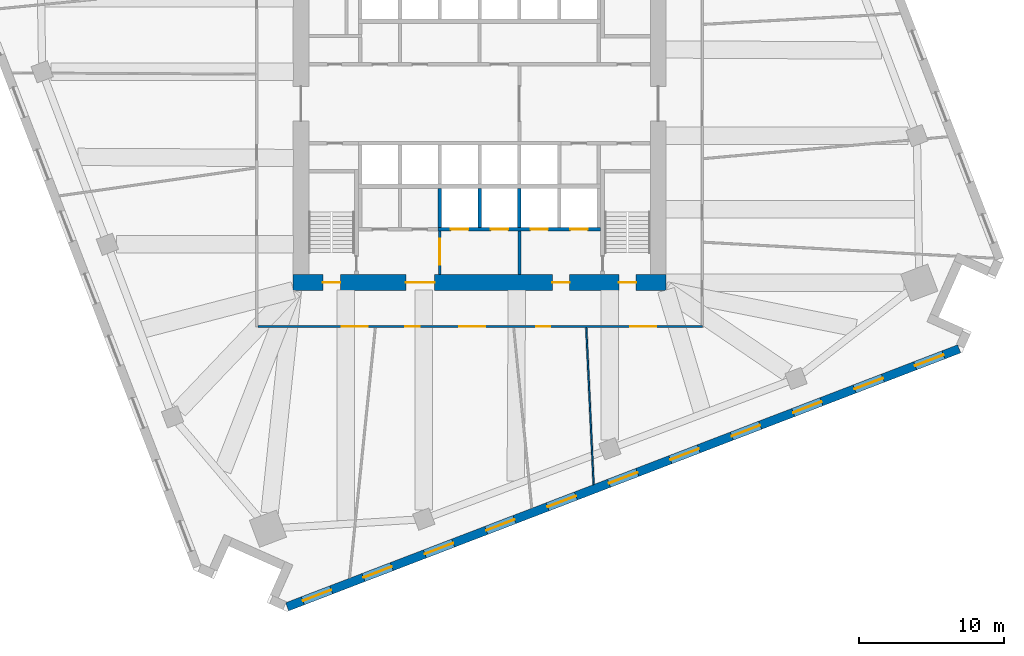
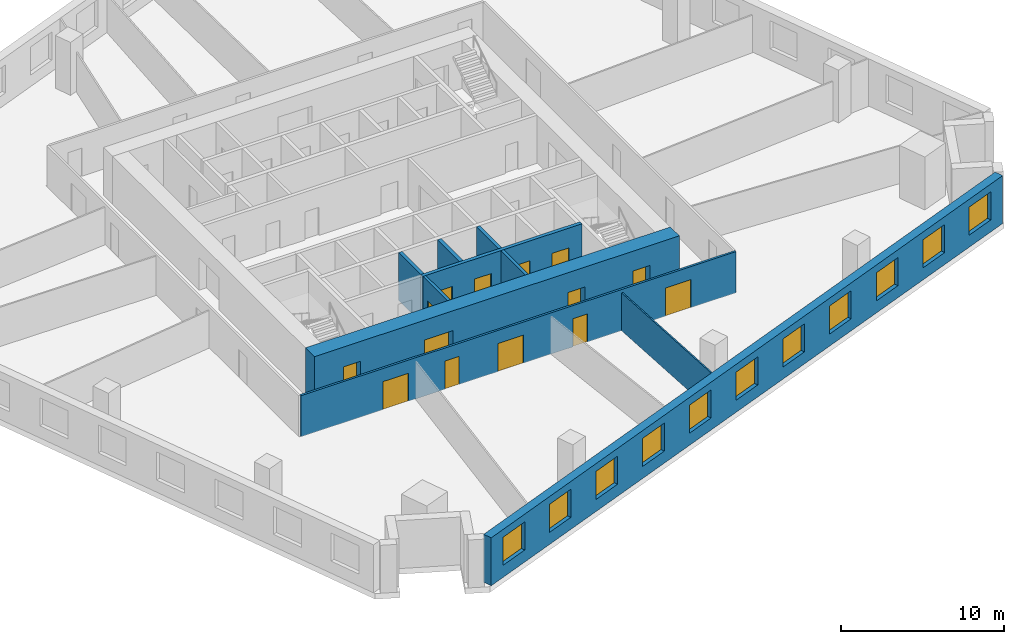
# One storey, part 8 of 14: 14 doors, 11 windows, 10 walls, 25 openings.
"""IFC4 building model written with IfcOpenShell, lengths in metres."""

from ifc_helpers import new_model, si_unit, direction, frame, frame_2d, origin, place, context, subcontext, project, spatial, rectangle, extrude, material, layer, layer_set, type_object, element, fill, save


model = new_model("IFC4")

# Units and contexts
model_context = context("Model", 3, precision=1e-05, world=origin(), true_north=direction((0.0, 1.0)))
body_context = subcontext(model_context, "Body", "Model", "MODEL_VIEW")
ifc_project = project(units=[si_unit("LENGTHUNIT", "METRE"), si_unit("AREAUNIT", "SQUARE_METRE"), si_unit("VOLUMEUNIT", "CUBIC_METRE"), si_unit("PLANEANGLEUNIT", "RADIAN"), si_unit("MASSUNIT", "GRAM", prefix="KILO")], contexts=[model_context])

# Site, building, storey
site_placement = place(None, origin())
site = spatial("IfcSite", under=ifc_project, at=site_placement, CompositionType="ELEMENT")
building_placement = place(site_placement, origin())
building = spatial("IfcBuilding", under=site, at=building_placement, Name="Dilmun Exchange Tower", CompositionType="ELEMENT")
storey_placement = place(building_placement, frame((0.0, 0.0, 110.10009765625)))
storey = spatial("IfcBuildingStorey", under=building, at=storey_placement, Name="L25", CompositionType="ELEMENT", Elevation=110.10009765625)

# Wall, opening, door
ifc_material_1 = material(Name="Concrete C40/50", Category="concrete")
ifc_layer_1 = layer(ifc_material_1, 0.199951171875)
ifc_layer_set_1 = layer_set([ifc_layer_1], Name="Concrete C40/50")
wall_type_1 = type_object("IfcWallType", Name="Core partition wall 200", PredefinedType="PARTITIONING", material=ifc_layer_set_1)
wall_1_placement = place(storey_placement, frame((-2.75, -11.794921875, 0.0), z_axis=(0.0, 0.0, 1.0), x_axis=(0.0, 1.0, 0.0)))
wall_1 = element("IfcWall", 1, at=wall_1_placement, inside=storey, type_object=wall_type_1, Name="L25 core partition wall 01", PredefinedType="PARTITIONING", context=body_context, shape_type="SweptSolid", body=[
    extrude(rectangle(XDim=2.989990234375, YDim=0.199951171875, at=frame_2d((1.4951171875, 0.0))), origin(), (0.0, 0.0, 1.0), 3.579833984375),
])
opening_1_placement = place(wall_1_placement, frame((0.657470703125, 0.0, 0.0)))
opening_1 = element("IfcOpeningElement", 2, at=opening_1_placement, cuts=wall_1, Name="Opening CD5", PredefinedType="OPENING", context=body_context, shape_type="SweptSolid", body=[
    extrude(rectangle(XDim=1.800048828125, YDim=2.10009765625, at=frame_2d((0.89990234375, 1.050048828125))), frame((0.0, 0.10986328125, 0.0), z_axis=(0.0, -1.0, 0.0), x_axis=(1.0, 0.0, 0.0)), (0.0, 0.0, 1.0), 0.219970703125),
])
ifc_material_2 = material(Name="Fire-rated steel door set", Category="steel")
door_type_1 = type_object("IfcDoorType", Name="Stair exit door 1800x2100", OperationType="SINGLE_SWING_LEFT", PredefinedType="DOOR", material=ifc_material_2)
door_1_placement = place(opening_1_placement, origin())
door_1 = element("IfcDoor", 3, at=door_1_placement, inside=storey, type_object=door_type_1, Name="L25 door Service lobby east", OperationType="SINGLE_SWING_LEFT", OverallHeight=2.10009765625, OverallWidth=1.800048828125, PredefinedType="DOOR", context=body_context, shape_type="SweptSolid", body=[
    extrude(rectangle(XDim=1.800048828125, YDim=2.10009765625, at=frame_2d((0.89990234375, 1.050048828125))), frame((0.0, 0.02490234375, 0.0), z_axis=(0.0, -1.0, 0.0), x_axis=(1.0, 0.0, 0.0)), (0.0, 0.0, 1.0), 0.050048828125),
])
fill(opening_1, door_1)

# Wall
wall_2_placement = place(storey_placement, frame((2.75, -11.794921875, 0.0), z_axis=(0.0, 0.0, 1.0), x_axis=(0.0, 1.0, 0.0)))
element("IfcWall", 4, at=wall_2_placement, inside=storey, type_object=wall_type_1, Name="L25 core partition wall 02", PredefinedType="PARTITIONING", context=body_context, shape_type="SweptSolid", body=[
    extrude(rectangle(XDim=2.989990234375, YDim=0.199951171875, at=frame_2d((1.4951171875, 0.0))), origin(), (0.0, 0.0, 1.0), 3.579833984375),
])

# Wall, openings, doors
ifc_material_3 = material(Name="Concrete C80/95", Category="concrete")
ifc_layer_2 = layer(ifc_material_3, 1.10009765625)
ifc_layer_set_2 = layer_set([ifc_layer_2], Name="Concrete C80/95")
wall_type_2 = type_object("IfcWallType", Name="Core shear wall 1100 Concrete C80/95", PredefinedType="SHEAR", material=ifc_layer_set_2)
wall_3_placement = place(storey_placement, frame((-12.89990234375, -12.35009765625, 0.0), z_axis=(0.0, 0.0, 1.0), x_axis=(1.0, 0.0, 0.0)))
wall_3 = element("IfcWall", 5, at=wall_3_placement, inside=storey, type_object=wall_type_2, Name="L25 core shear wall S", PredefinedType="SHEAR", context=body_context, shape_type="SweptSolid", body=[
    extrude(rectangle(XDim=25.7998046875, YDim=1.10009765625, at=frame_2d((12.89990234375, 0.0))), origin(), (0.0, 0.0, 1.0), 3.579833984375),
])
opening_2_placement = place(wall_3_placement, frame((7.800048828125, 0.0, 0.0)))
opening_2 = element("IfcOpeningElement", 6, at=opening_2_placement, cuts=wall_3, Name="Opening CD2", PredefinedType="OPENING", context=body_context, shape_type="SweptSolid", body=[
    extrude(rectangle(XDim=2.0, YDim=2.10009765625, at=frame_2d((1.0, 1.050048828125))), frame((0.0, 0.56005859375, 0.0), z_axis=(0.0, -1.0, 0.0), x_axis=(1.0, 0.0, 0.0)), (0.0, 0.0, 1.0), 1.1201171875),
])
opening_3_placement = place(wall_3_placement, frame((17.925048828125, 0.0, 0.0)))
opening_3 = element("IfcOpeningElement", 7, at=opening_3_placement, cuts=wall_3, Name="Opening CD3", PredefinedType="OPENING", context=body_context, shape_type="SweptSolid", body=[
    extrude(rectangle(XDim=1.199951171875, YDim=2.10009765625, at=frame_2d((0.60009765625, 1.050048828125))), frame((0.0, 0.56005859375, 0.0), z_axis=(0.0, -1.0, 0.0), x_axis=(1.0, 0.0, 0.0)), (0.0, 0.0, 1.0), 1.1201171875),
])
opening_4_placement = place(wall_3_placement, frame((2.074951171875, 0.0, 0.0)))
opening_4 = element("IfcOpeningElement", 8, at=opening_4_placement, cuts=wall_3, Name="Opening CD3", PredefinedType="OPENING", context=body_context, shape_type="SweptSolid", body=[
    extrude(rectangle(XDim=1.199951171875, YDim=2.10009765625, at=frame_2d((0.60009765625, 1.050048828125))), frame((0.0, 0.56005859375, 0.0), z_axis=(0.0, -1.0, 0.0), x_axis=(1.0, 0.0, 0.0)), (0.0, 0.0, 1.0), 1.1201171875),
])
opening_5_placement = place(wall_3_placement, frame((22.52490234375, 0.0, 0.0)))
opening_5 = element("IfcOpeningElement", 9, at=opening_5_placement, cuts=wall_3, Name="Opening CD3", PredefinedType="OPENING", context=body_context, shape_type="SweptSolid", body=[
    extrude(rectangle(XDim=1.199951171875, YDim=2.10009765625, at=frame_2d((0.60009765625, 1.050048828125))), frame((0.0, 0.56005859375, 0.0), z_axis=(0.0, -1.0, 0.0), x_axis=(1.0, 0.0, 0.0)), (0.0, 0.0, 1.0), 1.1201171875),
])
door_type_2 = type_object("IfcDoorType", Name="Core service door 2000x2100", OperationType="DOUBLE_DOOR_DOUBLE_SWING", PredefinedType="DOOR", material=ifc_material_2)
door_2_placement = place(opening_2_placement, origin())
door_2 = element("IfcDoor", 10, at=door_2_placement, inside=storey, type_object=door_type_2, Name="L25 door South service lobby", OperationType="SINGLE_SWING_LEFT", OverallHeight=2.10009765625, OverallWidth=2.0, PredefinedType="DOOR", context=body_context, shape_type="SweptSolid", body=[
    extrude(rectangle(XDim=2.0, YDim=2.10009765625, at=frame_2d((1.0, 1.050048828125))), frame((0.0, 0.02490234375, 0.0), z_axis=(0.0, -1.0, 0.0), x_axis=(1.0, 0.0, 0.0)), (0.0, 0.0, 1.0), 0.050048828125),
])
fill(opening_2, door_2)
door_type_3 = type_object("IfcDoorType", Name="Stair exit door 1200x2100", OperationType="SINGLE_SWING_LEFT", PredefinedType="DOOR", material=ifc_material_2)
door_3_placement = place(opening_3_placement, origin())
door_3 = element("IfcDoor", 11, at=door_3_placement, inside=storey, type_object=door_type_3, Name="L25 door Fire-fighting lobby", OperationType="SINGLE_SWING_LEFT", OverallHeight=2.10009765625, OverallWidth=1.199951171875, PredefinedType="DOOR", context=body_context, shape_type="SweptSolid", body=[
    extrude(rectangle(XDim=1.199951171875, YDim=2.10009765625, at=frame_2d((0.60009765625, 1.050048828125))), frame((0.0, 0.02490234375, 0.0), z_axis=(0.0, -1.0, 0.0), x_axis=(1.0, 0.0, 0.0)), (0.0, 0.0, 1.0), 0.050048828125),
])
fill(opening_3, door_3)
door_4_placement = place(opening_4_placement, origin())
door_4 = element("IfcDoor", 12, at=door_4_placement, inside=storey, type_object=door_type_3, Name="L25 door Stair ST2", OperationType="SINGLE_SWING_LEFT", OverallHeight=2.10009765625, OverallWidth=1.199951171875, PredefinedType="DOOR", context=body_context, shape_type="SweptSolid", body=[
    extrude(rectangle(XDim=1.199951171875, YDim=2.10009765625, at=frame_2d((0.60009765625, 1.050048828125))), frame((0.0, 0.02490234375, 0.0), z_axis=(0.0, -1.0, 0.0), x_axis=(1.0, 0.0, 0.0)), (0.0, 0.0, 1.0), 0.050048828125),
])
fill(opening_4, door_4)
door_5_placement = place(opening_5_placement, origin())
door_5 = element("IfcDoor", 13, at=door_5_placement, inside=storey, type_object=door_type_3, Name="L25 door Stair ST3", OperationType="SINGLE_SWING_LEFT", OverallHeight=2.10009765625, OverallWidth=1.199951171875, PredefinedType="DOOR", context=body_context, shape_type="SweptSolid", body=[
    extrude(rectangle(XDim=1.199951171875, YDim=2.10009765625, at=frame_2d((0.60009765625, 1.050048828125))), frame((0.0, 0.02490234375, 0.0), z_axis=(0.0, -1.0, 0.0), x_axis=(1.0, 0.0, 0.0)), (0.0, 0.0, 1.0), 0.050048828125),
])
fill(opening_5, door_5)

ifc_material_4 = material(Name="Corridor wall 150")
ifc_layer_3 = layer(ifc_material_4, 0.14990234375)
ifc_layer_set_3 = layer_set([ifc_layer_3], Name="Corridor wall 150")
wall_type_3 = type_object("IfcWallType", Name="Corridor wall 150", PredefinedType="PARTITIONING", material=ifc_layer_set_3)
wall_4_placement = place(storey_placement, frame((-15.324951171875, -15.39990234375, 0.0), z_axis=(0.0, 0.0, 1.0), x_axis=(1.0, 0.0, 0.0)))
wall_4 = element("IfcWall", 14, at=wall_4_placement, inside=storey, type_object=wall_type_3, Name="Corridor wall", PredefinedType="PARTITIONING", context=body_context, shape_type="SweptSolid", body=[
    extrude(rectangle(XDim=30.724853515625, YDim=0.14990234375, at=frame_2d((15.3623046875, 0.0))), origin(), (0.0, 0.0, 1.0), 3.079833984375),
])
opening_6_placement = place(wall_4_placement, frame((5.800048828125, 0.0, 0.0)))
opening_6 = element("IfcOpeningElement", 15, at=opening_6_placement, cuts=wall_4, Name="Opening TF23-D05", PredefinedType="OPENING", context=body_context, shape_type="SweptSolid", body=[
    extrude(rectangle(XDim=1.800048828125, YDim=2.10009765625, at=frame_2d((0.89990234375, 1.050048828125))), frame((0.0, 0.0849609375, 0.0), z_axis=(0.0, -1.0, 0.0), x_axis=(1.0, 0.0, 0.0)), (0.0, 0.0, 1.0), 0.169921875),
])
opening_7_placement = place(wall_4_placement, frame((13.92333984375, 0.0, 0.0)))
opening_7 = element("IfcOpeningElement", 16, at=opening_7_placement, cuts=wall_4, Name="Opening TF23-D08", PredefinedType="OPENING", context=body_context, shape_type="SweptSolid", body=[
    extrude(rectangle(XDim=1.800048828125, YDim=2.10009765625, at=frame_2d((0.89990234375, 1.050048828125))), frame((0.0, 0.0849609375, 0.0), z_axis=(0.0, -1.0, 0.0), x_axis=(1.0, 0.0, 0.0)), (0.0, 0.0, 1.0), 0.169921875),
])
opening_8_placement = place(wall_4_placement, frame((10.17333984375, 0.0, 0.0)))
opening_8 = element("IfcOpeningElement", 17, at=opening_8_placement, cuts=wall_4, Name="Opening TF23-D09", PredefinedType="OPENING", context=body_context, shape_type="SweptSolid", body=[
    extrude(rectangle(XDim=1.0, YDim=2.10009765625, at=frame_2d((0.5, 1.050048828125))), frame((0.0, 0.0849609375, 0.0), z_axis=(0.0, -1.0, 0.0), x_axis=(1.0, 0.0, 0.0)), (0.0, 0.0, 1.0), 0.169921875),
])
opening_9_placement = place(wall_4_placement, frame((19.227294921875, 0.0, 0.0)))
opening_9 = element("IfcOpeningElement", 18, at=opening_9_placement, cuts=wall_4, Name="Opening TF23-D12", PredefinedType="OPENING", context=body_context, shape_type="SweptSolid", body=[
    extrude(rectangle(XDim=1.0, YDim=2.10009765625, at=frame_2d((0.5, 1.050048828125))), frame((0.0, 0.0849609375, 0.0), z_axis=(0.0, -1.0, 0.0), x_axis=(1.0, 0.0, 0.0)), (0.0, 0.0, 1.0), 0.169921875),
])
opening_10_placement = place(wall_4_placement, frame((25.74560546875, 0.0, 0.0)))
opening_10 = element("IfcOpeningElement", 19, at=opening_10_placement, cuts=wall_4, Name="Opening TF23-D15", PredefinedType="OPENING", context=body_context, shape_type="SweptSolid", body=[
    extrude(rectangle(XDim=1.800048828125, YDim=2.10009765625, at=frame_2d((0.89990234375, 1.050048828125))), frame((0.0, 0.0849609375, 0.0), z_axis=(0.0, -1.0, 0.0), x_axis=(1.0, 0.0, 0.0)), (0.0, 0.0, 1.0), 0.169921875),
])
ifc_material_5 = material(Name="Fire door 1000 x 2100")
door_type_4 = type_object("IfcDoorType", Name="Fire door 1000 x 2100", OperationType="NOTDEFINED", PredefinedType="DOOR", material=ifc_material_5)
door_6_placement = place(opening_8_placement, frame((1.0, 0.0, 0.0), z_axis=(0.0, 0.0, 1.0), x_axis=(-1.0, 0.0, 0.0)))
door_6 = element("IfcDoor", 20, at=door_6_placement, inside=storey, type_object=door_type_4, Name="Door TF23-D09", OperationType="SINGLE_SWING_RIGHT", OverallHeight=2.10009765625, OverallWidth=1.0, PredefinedType="DOOR", context=body_context, shape_type="SweptSolid", body=[
    extrude(rectangle(XDim=1.0, YDim=2.10009765625, at=frame_2d((0.5, 1.050048828125))), frame((0.0, 0.02490234375, 0.0), z_axis=(0.0, -1.0, 0.0), x_axis=(1.0, 0.0, 0.0)), (0.0, 0.0, 1.0), 0.050048828125),
])
fill(opening_8, door_6)
door_7_placement = place(opening_9_placement, frame((1.0, 0.0, 0.0), z_axis=(0.0, 0.0, 1.0), x_axis=(-1.0, 0.0, 0.0)))
door_7 = element("IfcDoor", 21, at=door_7_placement, inside=storey, type_object=door_type_4, Name="Door TF23-D12", OperationType="SINGLE_SWING_LEFT", OverallHeight=2.10009765625, OverallWidth=1.0, PredefinedType="DOOR", context=body_context, shape_type="SweptSolid", body=[
    extrude(rectangle(XDim=1.0, YDim=2.10009765625, at=frame_2d((0.5, 1.050048828125))), frame((0.0, 0.02490234375, 0.0), z_axis=(0.0, -1.0, 0.0), x_axis=(1.0, 0.0, 0.0)), (0.0, 0.0, 1.0), 0.050048828125),
])
fill(opening_9, door_7)
ifc_material_6 = material(Name="Fire door pair 1800 x 2100")
door_type_5 = type_object("IfcDoorType", Name="Fire door pair 1800 x 2100", OperationType="NOTDEFINED", PredefinedType="DOOR", material=ifc_material_6)
door_8_placement = place(opening_6_placement, frame((1.800048828125, 0.0, 0.0), z_axis=(0.0, 0.0, 1.0), x_axis=(-1.0, 0.0, 0.0)))
door_8 = element("IfcDoor", 22, at=door_8_placement, inside=storey, type_object=door_type_5, Name="Door TF23-D05", OperationType="DOUBLE_DOOR_SINGLE_SWING", OverallHeight=2.10009765625, OverallWidth=1.800048828125, PredefinedType="DOOR", context=body_context, shape_type="SweptSolid", body=[
    extrude(rectangle(XDim=1.800048828125, YDim=2.10009765625, at=frame_2d((0.89990234375, 1.050048828125))), frame((0.0, 0.02490234375, 0.0), z_axis=(0.0, -1.0, 0.0), x_axis=(1.0, 0.0, 0.0)), (0.0, 0.0, 1.0), 0.050048828125),
])
fill(opening_6, door_8)
door_9_placement = place(opening_7_placement, frame((1.800048828125, 0.0, 0.0), z_axis=(0.0, 0.0, 1.0), x_axis=(-1.0, 0.0, 0.0)))
door_9 = element("IfcDoor", 23, at=door_9_placement, inside=storey, type_object=door_type_5, Name="Door TF23-D08", OperationType="DOUBLE_DOOR_SINGLE_SWING", OverallHeight=2.10009765625, OverallWidth=1.800048828125, PredefinedType="DOOR", context=body_context, shape_type="SweptSolid", body=[
    extrude(rectangle(XDim=1.800048828125, YDim=2.10009765625, at=frame_2d((0.89990234375, 1.050048828125))), frame((0.0, 0.02490234375, 0.0), z_axis=(0.0, -1.0, 0.0), x_axis=(1.0, 0.0, 0.0)), (0.0, 0.0, 1.0), 0.050048828125),
])
fill(opening_7, door_9)
door_10_placement = place(opening_10_placement, frame((1.800048828125, 0.0, 0.0), z_axis=(0.0, 0.0, 1.0), x_axis=(-1.0, 0.0, 0.0)))
door_10 = element("IfcDoor", 24, at=door_10_placement, inside=storey, type_object=door_type_5, Name="Door TF23-D15", OperationType="DOUBLE_DOOR_SINGLE_SWING", OverallHeight=2.10009765625, OverallWidth=1.800048828125, PredefinedType="DOOR", context=body_context, shape_type="SweptSolid", body=[
    extrude(rectangle(XDim=1.800048828125, YDim=2.10009765625, at=frame_2d((0.89990234375, 1.050048828125))), frame((0.0, 0.02490234375, 0.0), z_axis=(0.0, -1.0, 0.0), x_axis=(1.0, 0.0, 0.0)), (0.0, 0.0, 1.0), 0.050048828125),
])
fill(opening_10, door_10)

ifc_layer_4 = layer(ifc_material_1, 0.25)
ifc_layer_set_4 = layer_set([ifc_layer_4], Name="Concrete C40/50")
wall_type_4 = type_object("IfcWallType", Name="Lift shaft wall 250", PredefinedType="SOLIDWALL", material=ifc_layer_set_4)
wall_5_placement = place(storey_placement, frame((-2.875, -8.675048828125, 0.0), z_axis=(0.0, 0.0, 1.0), x_axis=(1.0, 0.0, 0.0)))
wall_5 = element("IfcWall", 25, at=wall_5_placement, inside=storey, type_object=wall_type_4, Name="L25 lift shaft front wall S2", PredefinedType="SOLIDWALL", context=body_context, shape_type="SweptSolid", body=[
    extrude(rectangle(XDim=11.25, YDim=0.25, at=frame_2d((5.625, 0.0))), origin(), (0.0, 0.0, 1.0), 3.579833984375),
])
opening_11_placement = place(wall_5_placement, frame((0.89990234375, 0.0, 0.0)))
opening_11 = element("IfcOpeningElement", 26, at=opening_11_placement, cuts=wall_5, Name="Opening LD", PredefinedType="OPENING", context=body_context, shape_type="SweptSolid", body=[
    extrude(rectangle(XDim=1.199951171875, YDim=2.10009765625, at=frame_2d((0.60009765625, 1.050048828125))), frame((0.0, 0.135009765625, 0.0), z_axis=(0.0, -1.0, 0.0), x_axis=(1.0, 0.0, 0.0)), (0.0, 0.0, 1.0), 0.27001953125),
])
opening_12_placement = place(wall_5_placement, frame((3.64990234375, 0.0, 0.0)))
opening_12 = element("IfcOpeningElement", 27, at=opening_12_placement, cuts=wall_5, Name="Opening LD", PredefinedType="OPENING", context=body_context, shape_type="SweptSolid", body=[
    extrude(rectangle(XDim=1.199951171875, YDim=2.10009765625, at=frame_2d((0.60009765625, 1.050048828125))), frame((0.0, 0.135009765625, 0.0), z_axis=(0.0, -1.0, 0.0), x_axis=(1.0, 0.0, 0.0)), (0.0, 0.0, 1.0), 0.27001953125),
])
opening_13_placement = place(wall_5_placement, frame((6.39990234375, 0.0, 0.0)))
opening_13 = element("IfcOpeningElement", 28, at=opening_13_placement, cuts=wall_5, Name="Opening LD", PredefinedType="OPENING", context=body_context, shape_type="SweptSolid", body=[
    extrude(rectangle(XDim=1.199951171875, YDim=2.10009765625, at=frame_2d((0.60009765625, 1.050048828125))), frame((0.0, 0.135009765625, 0.0), z_axis=(0.0, -1.0, 0.0), x_axis=(1.0, 0.0, 0.0)), (0.0, 0.0, 1.0), 0.27001953125),
])
opening_14_placement = place(wall_5_placement, frame((9.14990234375, 0.0, 0.0)))
opening_14 = element("IfcOpeningElement", 29, at=opening_14_placement, cuts=wall_5, Name="Opening LD", PredefinedType="OPENING", context=body_context, shape_type="SweptSolid", body=[
    extrude(rectangle(XDim=1.199951171875, YDim=2.10009765625, at=frame_2d((0.60009765625, 1.050048828125))), frame((0.0, 0.135009765625, 0.0), z_axis=(0.0, -1.0, 0.0), x_axis=(1.0, 0.0, 0.0)), (0.0, 0.0, 1.0), 0.27001953125),
])
door_type_6 = type_object("IfcDoorType", Name="Lift landing door 1200x2100", OperationType="DOUBLE_DOOR_SLIDING", PredefinedType="DOOR", material=ifc_material_2)
door_11_placement = place(opening_11_placement, origin())
door_11 = element("IfcDoor", 30, at=door_11_placement, inside=storey, type_object=door_type_6, Name="L25 landing door SV1", OperationType="DOUBLE_DOOR_SLIDING", OverallHeight=2.10009765625, OverallWidth=1.199951171875, PredefinedType="DOOR", context=body_context, shape_type="SweptSolid", body=[
    extrude(rectangle(XDim=1.199951171875, YDim=2.10009765625, at=frame_2d((0.60009765625, 1.050048828125))), frame((0.0, 0.02490234375, 0.0), z_axis=(0.0, -1.0, 0.0), x_axis=(1.0, 0.0, 0.0)), (0.0, 0.0, 1.0), 0.050048828125),
])
fill(opening_11, door_11)
door_12_placement = place(opening_12_placement, origin())
door_12 = element("IfcDoor", 31, at=door_12_placement, inside=storey, type_object=door_type_6, Name="L25 landing door SV2", OperationType="DOUBLE_DOOR_SLIDING", OverallHeight=2.10009765625, OverallWidth=1.199951171875, PredefinedType="DOOR", context=body_context, shape_type="SweptSolid", body=[
    extrude(rectangle(XDim=1.199951171875, YDim=2.10009765625, at=frame_2d((0.60009765625, 1.050048828125))), frame((0.0, 0.02490234375, 0.0), z_axis=(0.0, -1.0, 0.0), x_axis=(1.0, 0.0, 0.0)), (0.0, 0.0, 1.0), 0.050048828125),
])
fill(opening_12, door_12)
door_13_placement = place(opening_13_placement, origin())
door_13 = element("IfcDoor", 32, at=door_13_placement, inside=storey, type_object=door_type_6, Name="L25 landing door FF1", OperationType="DOUBLE_DOOR_SLIDING", OverallHeight=2.10009765625, OverallWidth=1.199951171875, PredefinedType="DOOR", context=body_context, shape_type="SweptSolid", body=[
    extrude(rectangle(XDim=1.199951171875, YDim=2.10009765625, at=frame_2d((0.60009765625, 1.050048828125))), frame((0.0, 0.02490234375, 0.0), z_axis=(0.0, -1.0, 0.0), x_axis=(1.0, 0.0, 0.0)), (0.0, 0.0, 1.0), 0.050048828125),
])
fill(opening_13, door_13)
door_14_placement = place(opening_14_placement, origin())
door_14 = element("IfcDoor", 33, at=door_14_placement, inside=storey, type_object=door_type_6, Name="L25 landing door FF2", OperationType="DOUBLE_DOOR_SLIDING", OverallHeight=2.10009765625, OverallWidth=1.199951171875, PredefinedType="DOOR", context=body_context, shape_type="SweptSolid", body=[
    extrude(rectangle(XDim=1.199951171875, YDim=2.10009765625, at=frame_2d((0.60009765625, 1.050048828125))), frame((0.0, 0.02490234375, 0.0), z_axis=(0.0, -1.0, 0.0), x_axis=(1.0, 0.0, 0.0)), (0.0, 0.0, 1.0), 0.050048828125),
])
fill(opening_14, door_14)

# Walls
for number, where, z_axis, x_axis, name in (
    (34, (-2.75, -8.550048828125, 0.0), (0.0, 0.0, 1.0), (0.0, 1.0, 0.0), "L25 lift shaft divider S22"),
    (35, (0.0, -8.550048828125, 0.0), (0.0, 0.0, 1.0), (0.0, 1.0, 0.0), "L25 lift shaft divider S23"),
    (36, (2.75, -8.550048828125, 0.0), (0.0, 0.0, 1.0), (0.0, 1.0, 0.0), "L25 lift shaft divider S24"),
):
    element("IfcWall", number, at=place(storey_placement, frame(where, z_axis=z_axis, x_axis=x_axis)), inside=storey, type_object=wall_type_4, Name=name, PredefinedType="SOLIDWALL", context=body_context, shape_type="SweptSolid", body=[
        extrude(rectangle(XDim=2.699951171875, YDim=0.25, at=frame_2d((1.35009765625, 0.0))), origin(), (0.0, 0.0, 1.0), 3.579833984375),
    ])
ifc_material_7 = material(Name="Partition 100")
ifc_layer_5 = layer(ifc_material_7, 0.10009765625)
ifc_layer_set_5 = layer_set([ifc_layer_5], Name="Partition 100")
wall_type_5 = type_object("IfcWallType", Name="Partition 100", PredefinedType="PARTITIONING", material=ifc_layer_set_5)
wall_6_placement = place(storey_placement, frame((7.37451171875, -15.477294921875, 0.0), z_axis=(0.0, 0.0, 1.0), x_axis=(0.046868466971, -0.998901069578, 0.0)))
element("IfcWall", 37, at=wall_6_placement, inside=storey, type_object=wall_type_5, Name="Partition", PredefinedType="PARTITIONING", context=body_context, shape_type="SweptSolid", body=[
    extrude(rectangle(XDim=10.855712890625, YDim=0.10009765625, at=frame_2d((5.427734375, 0.0))), origin(), (0.0, 0.0, 1.0), 2.829833984375),
])

# Wall, openings, windows
ifc_material_8 = material(Name="Precast concrete C50/60", Category="concrete")
ifc_layer_6 = layer(ifc_material_8, 0.60009765625)
ifc_layer_set_6 = layer_set([ifc_layer_6], Name="Precast concrete C50/60")
wall_type_6 = type_object("IfcWallType", Name="Precast stone-clad wall 600", PredefinedType="STANDARD", material=ifc_layer_set_6)
wall_7_placement = place(storey_placement, frame((-13.296630859375, -34.77490234375, 0.0), z_axis=(0.0, 0.0, 1.0), x_axis=(0.933580395424, 0.358368030494, 0.0)))
wall_7 = element("IfcWall", 38, at=wall_7_placement, inside=storey, type_object=wall_type_6, Name="Facade wall L25-15", PredefinedType="STANDARD", context=body_context, shape_type="SweptSolid", body=[
    extrude(rectangle(XDim=49.75146484375, YDim=0.60009765625, at=frame_2d((24.875732421875, 0.0))), origin(), (0.0, 0.0, 1.0), 3.579833984375),
])
opening_15_placement = place(wall_7_placement, frame((1.16064453125, 0.0, 0.89990234375)))
opening_15 = element("IfcOpeningElement", 39, at=opening_15_placement, cuts=wall_7, Name="Opening W210-210", PredefinedType="OPENING", context=body_context, shape_type="SweptSolid", body=[
    extrude(rectangle(XDim=2.10009765625, YDim=2.10009765625, at=frame_2d((1.050048828125, 1.050048828125))), frame((0.0, 0.31005859375, 0.0), z_axis=(0.0, -1.0, 0.0), x_axis=(1.0, 0.0, 0.0)), (0.0, 0.0, 1.0), 0.6201171875),
])
opening_16_placement = place(wall_7_placement, frame((5.643798828125, 0.0, 0.89990234375)))
opening_16 = element("IfcOpeningElement", 40, at=opening_16_placement, cuts=wall_7, Name="Opening W210-210", PredefinedType="OPENING", context=body_context, shape_type="SweptSolid", body=[
    extrude(rectangle(XDim=2.10009765625, YDim=2.10009765625, at=frame_2d((1.050048828125, 1.050048828125))), frame((0.0, 0.31005859375, 0.0), z_axis=(0.0, -1.0, 0.0), x_axis=(1.0, 0.0, 0.0)), (0.0, 0.0, 1.0), 0.6201171875),
])
opening_17_placement = place(wall_7_placement, frame((10.189453125, 0.0, 0.89990234375)))
opening_17 = element("IfcOpeningElement", 41, at=opening_17_placement, cuts=wall_7, Name="Opening W210-210", PredefinedType="OPENING", context=body_context, shape_type="SweptSolid", body=[
    extrude(rectangle(XDim=2.10009765625, YDim=2.10009765625, at=frame_2d((1.050048828125, 1.050048828125))), frame((0.0, 0.31005859375, 0.0), z_axis=(0.0, -1.0, 0.0), x_axis=(1.0, 0.0, 0.0)), (0.0, 0.0, 1.0), 0.6201171875),
])
opening_18_placement = place(wall_7_placement, frame((14.73486328125, 0.0, 0.89990234375)))
opening_18 = element("IfcOpeningElement", 42, at=opening_18_placement, cuts=wall_7, Name="Opening W210-210", PredefinedType="OPENING", context=body_context, shape_type="SweptSolid", body=[
    extrude(rectangle(XDim=2.10009765625, YDim=2.10009765625, at=frame_2d((1.050048828125, 1.050048828125))), frame((0.0, 0.31005859375, 0.0), z_axis=(0.0, -1.0, 0.0), x_axis=(1.0, 0.0, 0.0)), (0.0, 0.0, 1.0), 0.6201171875),
])
opening_19_placement = place(wall_7_placement, frame((19.2802734375, 0.0, 0.89990234375)))
opening_19 = element("IfcOpeningElement", 43, at=opening_19_placement, cuts=wall_7, Name="Opening W210-210", PredefinedType="OPENING", context=body_context, shape_type="SweptSolid", body=[
    extrude(rectangle(XDim=2.10009765625, YDim=2.10009765625, at=frame_2d((1.050048828125, 1.050048828125))), frame((0.0, 0.31005859375, 0.0), z_axis=(0.0, -1.0, 0.0), x_axis=(1.0, 0.0, 0.0)), (0.0, 0.0, 1.0), 0.6201171875),
])
opening_20_placement = place(wall_7_placement, frame((23.82568359375, 0.0, 0.89990234375)))
opening_20 = element("IfcOpeningElement", 44, at=opening_20_placement, cuts=wall_7, Name="Opening W210-210", PredefinedType="OPENING", context=body_context, shape_type="SweptSolid", body=[
    extrude(rectangle(XDim=2.10009765625, YDim=2.10009765625, at=frame_2d((1.050048828125, 1.050048828125))), frame((0.0, 0.31005859375, 0.0), z_axis=(0.0, -1.0, 0.0), x_axis=(1.0, 0.0, 0.0)), (0.0, 0.0, 1.0), 0.6201171875),
])
opening_21_placement = place(wall_7_placement, frame((28.37109375, 0.0, 0.89990234375)))
opening_21 = element("IfcOpeningElement", 45, at=opening_21_placement, cuts=wall_7, Name="Opening W210-210", PredefinedType="OPENING", context=body_context, shape_type="SweptSolid", body=[
    extrude(rectangle(XDim=2.10009765625, YDim=2.10009765625, at=frame_2d((1.050048828125, 1.050048828125))), frame((0.0, 0.31005859375, 0.0), z_axis=(0.0, -1.0, 0.0), x_axis=(1.0, 0.0, 0.0)), (0.0, 0.0, 1.0), 0.6201171875),
])
opening_22_placement = place(wall_7_placement, frame((32.91650390625, 0.0, 0.89990234375)))
opening_22 = element("IfcOpeningElement", 46, at=opening_22_placement, cuts=wall_7, Name="Opening W210-210", PredefinedType="OPENING", context=body_context, shape_type="SweptSolid", body=[
    extrude(rectangle(XDim=2.10009765625, YDim=2.10009765625, at=frame_2d((1.050048828125, 1.050048828125))), frame((0.0, 0.31005859375, 0.0), z_axis=(0.0, -1.0, 0.0), x_axis=(1.0, 0.0, 0.0)), (0.0, 0.0, 1.0), 0.6201171875),
])
opening_23_placement = place(wall_7_placement, frame((37.462158203125, 0.0, 0.89990234375)))
opening_23 = element("IfcOpeningElement", 47, at=opening_23_placement, cuts=wall_7, Name="Opening W210-210", PredefinedType="OPENING", context=body_context, shape_type="SweptSolid", body=[
    extrude(rectangle(XDim=2.10009765625, YDim=2.10009765625, at=frame_2d((1.050048828125, 1.050048828125))), frame((0.0, 0.31005859375, 0.0), z_axis=(0.0, -1.0, 0.0), x_axis=(1.0, 0.0, 0.0)), (0.0, 0.0, 1.0), 0.6201171875),
])
opening_24_placement = place(wall_7_placement, frame((42.007568359375, 0.0, 0.89990234375)))
opening_24 = element("IfcOpeningElement", 48, at=opening_24_placement, cuts=wall_7, Name="Opening W210-210", PredefinedType="OPENING", context=body_context, shape_type="SweptSolid", body=[
    extrude(rectangle(XDim=2.10009765625, YDim=2.10009765625, at=frame_2d((1.050048828125, 1.050048828125))), frame((0.0, 0.31005859375, 0.0), z_axis=(0.0, -1.0, 0.0), x_axis=(1.0, 0.0, 0.0)), (0.0, 0.0, 1.0), 0.6201171875),
])
opening_25_placement = place(wall_7_placement, frame((46.490966796875, 0.0, 0.89990234375)))
opening_25 = element("IfcOpeningElement", 49, at=opening_25_placement, cuts=wall_7, Name="Opening W210-210", PredefinedType="OPENING", context=body_context, shape_type="SweptSolid", body=[
    extrude(rectangle(XDim=2.10009765625, YDim=2.10009765625, at=frame_2d((1.050048828125, 1.050048828125))), frame((0.0, 0.31005859375, 0.0), z_axis=(0.0, -1.0, 0.0), x_axis=(1.0, 0.0, 0.0)), (0.0, 0.0, 1.0), 0.6201171875),
])
ifc_material_9 = material(Name="Clear low-emissivity glass in aluminium frame", Category="aluminium")
window_type = type_object("IfcWindowType", Name="Punched window 2100 x 2100", PartitioningType="DOUBLE_PANEL_VERTICAL", PredefinedType="WINDOW", material=ifc_material_9)
window_1_placement = place(opening_15_placement, origin())
window_1 = element("IfcWindow", 50, at=window_1_placement, inside=storey, type_object=window_type, Name="Window 16.1", OverallHeight=2.10009765625, OverallWidth=2.10009765625, PartitioningType="SINGLE_PANEL", PredefinedType="WINDOW", context=body_context, shape_type="SweptSolid", body=[
    extrude(rectangle(XDim=2.10009765625, YDim=2.10009765625, at=frame_2d((1.050048828125, 1.050048828125))), frame((0.0, 0.030029296875, 0.0), z_axis=(0.0, -1.0, 0.0), x_axis=(1.0, 0.0, 0.0)), (0.0, 0.0, 1.0), 0.06005859375),
])
fill(opening_15, window_1)
window_2_placement = place(opening_16_placement, origin())
window_2 = element("IfcWindow", 51, at=window_2_placement, inside=storey, type_object=window_type, Name="Window 16.2", OverallHeight=2.10009765625, OverallWidth=2.10009765625, PartitioningType="SINGLE_PANEL", PredefinedType="WINDOW", context=body_context, shape_type="SweptSolid", body=[
    extrude(rectangle(XDim=2.10009765625, YDim=2.10009765625, at=frame_2d((1.050048828125, 1.050048828125))), frame((0.0, 0.030029296875, 0.0), z_axis=(0.0, -1.0, 0.0), x_axis=(1.0, 0.0, 0.0)), (0.0, 0.0, 1.0), 0.06005859375),
])
fill(opening_16, window_2)
window_3_placement = place(opening_17_placement, origin())
window_3 = element("IfcWindow", 52, at=window_3_placement, inside=storey, type_object=window_type, Name="Window 16.3", OverallHeight=2.10009765625, OverallWidth=2.10009765625, PartitioningType="SINGLE_PANEL", PredefinedType="WINDOW", context=body_context, shape_type="SweptSolid", body=[
    extrude(rectangle(XDim=2.10009765625, YDim=2.10009765625, at=frame_2d((1.050048828125, 1.050048828125))), frame((0.0, 0.030029296875, 0.0), z_axis=(0.0, -1.0, 0.0), x_axis=(1.0, 0.0, 0.0)), (0.0, 0.0, 1.0), 0.06005859375),
])
fill(opening_17, window_3)
window_4_placement = place(opening_18_placement, origin())
window_4 = element("IfcWindow", 53, at=window_4_placement, inside=storey, type_object=window_type, Name="Window 16.4", OverallHeight=2.10009765625, OverallWidth=2.10009765625, PartitioningType="SINGLE_PANEL", PredefinedType="WINDOW", context=body_context, shape_type="SweptSolid", body=[
    extrude(rectangle(XDim=2.10009765625, YDim=2.10009765625, at=frame_2d((1.050048828125, 1.050048828125))), frame((0.0, 0.030029296875, 0.0), z_axis=(0.0, -1.0, 0.0), x_axis=(1.0, 0.0, 0.0)), (0.0, 0.0, 1.0), 0.06005859375),
])
fill(opening_18, window_4)
window_5_placement = place(opening_19_placement, origin())
window_5 = element("IfcWindow", 54, at=window_5_placement, inside=storey, type_object=window_type, Name="Window 16.5", OverallHeight=2.10009765625, OverallWidth=2.10009765625, PartitioningType="SINGLE_PANEL", PredefinedType="WINDOW", context=body_context, shape_type="SweptSolid", body=[
    extrude(rectangle(XDim=2.10009765625, YDim=2.10009765625, at=frame_2d((1.050048828125, 1.050048828125))), frame((0.0, 0.030029296875, 0.0), z_axis=(0.0, -1.0, 0.0), x_axis=(1.0, 0.0, 0.0)), (0.0, 0.0, 1.0), 0.06005859375),
])
fill(opening_19, window_5)
window_6_placement = place(opening_20_placement, origin())
window_6 = element("IfcWindow", 55, at=window_6_placement, inside=storey, type_object=window_type, Name="Window 16.6", OverallHeight=2.10009765625, OverallWidth=2.10009765625, PartitioningType="SINGLE_PANEL", PredefinedType="WINDOW", context=body_context, shape_type="SweptSolid", body=[
    extrude(rectangle(XDim=2.10009765625, YDim=2.10009765625, at=frame_2d((1.050048828125, 1.050048828125))), frame((0.0, 0.030029296875, 0.0), z_axis=(0.0, -1.0, 0.0), x_axis=(1.0, 0.0, 0.0)), (0.0, 0.0, 1.0), 0.06005859375),
])
fill(opening_20, window_6)
window_7_placement = place(opening_21_placement, origin())
window_7 = element("IfcWindow", 56, at=window_7_placement, inside=storey, type_object=window_type, Name="Window 16.7", OverallHeight=2.10009765625, OverallWidth=2.10009765625, PartitioningType="SINGLE_PANEL", PredefinedType="WINDOW", context=body_context, shape_type="SweptSolid", body=[
    extrude(rectangle(XDim=2.10009765625, YDim=2.10009765625, at=frame_2d((1.050048828125, 1.050048828125))), frame((0.0, 0.030029296875, 0.0), z_axis=(0.0, -1.0, 0.0), x_axis=(1.0, 0.0, 0.0)), (0.0, 0.0, 1.0), 0.06005859375),
])
fill(opening_21, window_7)
window_8_placement = place(opening_22_placement, origin())
window_8 = element("IfcWindow", 57, at=window_8_placement, inside=storey, type_object=window_type, Name="Window 16.8", OverallHeight=2.10009765625, OverallWidth=2.10009765625, PartitioningType="SINGLE_PANEL", PredefinedType="WINDOW", context=body_context, shape_type="SweptSolid", body=[
    extrude(rectangle(XDim=2.10009765625, YDim=2.10009765625, at=frame_2d((1.050048828125, 1.050048828125))), frame((0.0, 0.030029296875, 0.0), z_axis=(0.0, -1.0, 0.0), x_axis=(1.0, 0.0, 0.0)), (0.0, 0.0, 1.0), 0.06005859375),
])
fill(opening_22, window_8)
window_9_placement = place(opening_23_placement, origin())
window_9 = element("IfcWindow", 58, at=window_9_placement, inside=storey, type_object=window_type, Name="Window 16.9", OverallHeight=2.10009765625, OverallWidth=2.10009765625, PartitioningType="SINGLE_PANEL", PredefinedType="WINDOW", context=body_context, shape_type="SweptSolid", body=[
    extrude(rectangle(XDim=2.10009765625, YDim=2.10009765625, at=frame_2d((1.050048828125, 1.050048828125))), frame((0.0, 0.030029296875, 0.0), z_axis=(0.0, -1.0, 0.0), x_axis=(1.0, 0.0, 0.0)), (0.0, 0.0, 1.0), 0.06005859375),
])
fill(opening_23, window_9)
window_10_placement = place(opening_24_placement, origin())
window_10 = element("IfcWindow", 59, at=window_10_placement, inside=storey, type_object=window_type, Name="Window 16.10", OverallHeight=2.10009765625, OverallWidth=2.10009765625, PartitioningType="SINGLE_PANEL", PredefinedType="WINDOW", context=body_context, shape_type="SweptSolid", body=[
    extrude(rectangle(XDim=2.10009765625, YDim=2.10009765625, at=frame_2d((1.050048828125, 1.050048828125))), frame((0.0, 0.030029296875, 0.0), z_axis=(0.0, -1.0, 0.0), x_axis=(1.0, 0.0, 0.0)), (0.0, 0.0, 1.0), 0.06005859375),
])
fill(opening_24, window_10)
window_11_placement = place(opening_25_placement, origin())
window_11 = element("IfcWindow", 60, at=window_11_placement, inside=storey, type_object=window_type, Name="Window 16.11", OverallHeight=2.10009765625, OverallWidth=2.10009765625, PartitioningType="SINGLE_PANEL", PredefinedType="WINDOW", context=body_context, shape_type="SweptSolid", body=[
    extrude(rectangle(XDim=2.10009765625, YDim=2.10009765625, at=frame_2d((1.050048828125, 1.050048828125))), frame((0.0, 0.030029296875, 0.0), z_axis=(0.0, -1.0, 0.0), x_axis=(1.0, 0.0, 0.0)), (0.0, 0.0, 1.0), 0.06005859375),
])
fill(opening_25, window_11)

save(model, "model.ifc")
